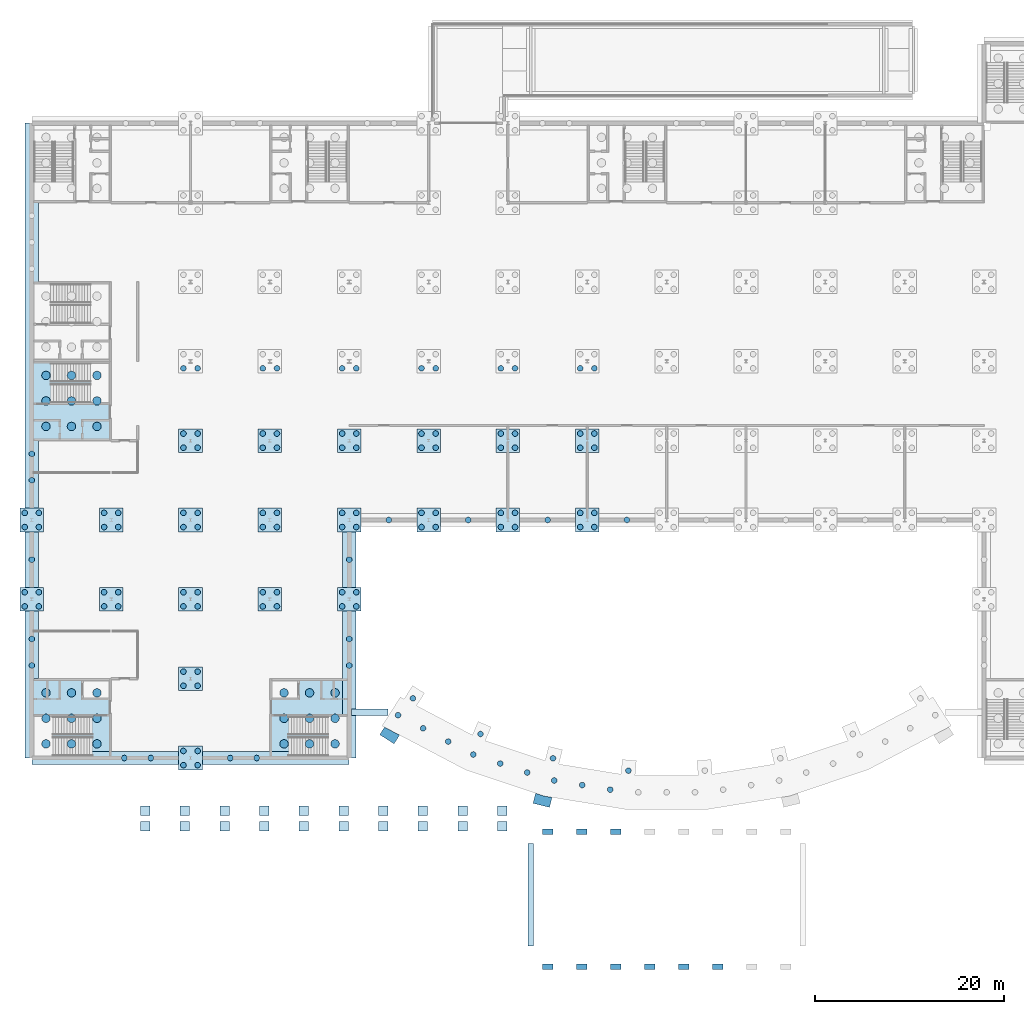
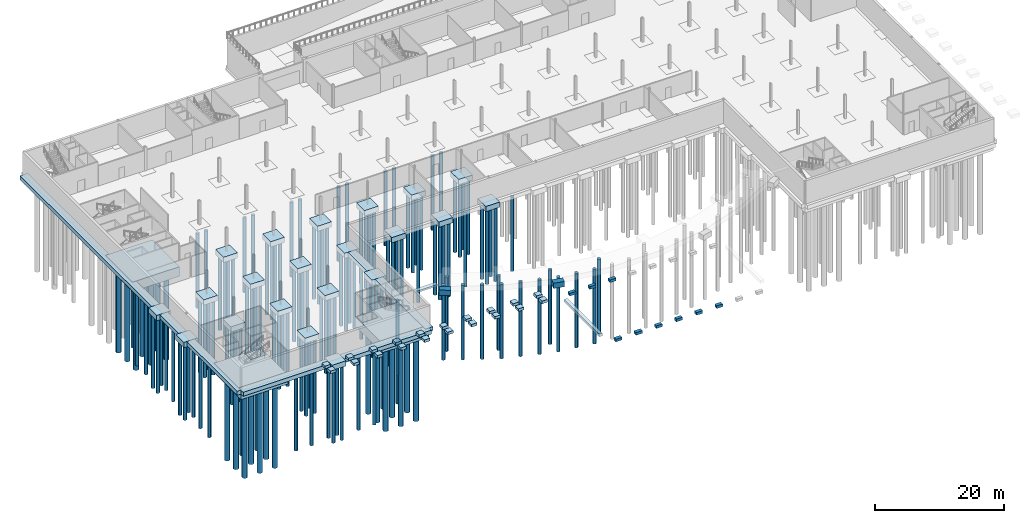
# One storey, part 1 of 35: 152 piles, 60 footings.
"""IFC4 building model written with IfcOpenShell, lengths in metres."""

from ifc_helpers import new_model, si_unit, direction, frame, origin, origin_2d, place, context, subcontext, project, spatial, polyline, rectangle, circle, outline, extrude, material, material_profile, profile_set, type_object, element, save


model = new_model("IFC4")

# Units and contexts
model_context = context("Model", 3, precision=1e-05, world=origin(), true_north=direction((0.0, 1.0)))
body_context = subcontext(model_context, "Body", "Model", "MODEL_VIEW")
ifc_project = project(units=[si_unit("LENGTHUNIT", "METRE"), si_unit("AREAUNIT", "SQUARE_METRE"), si_unit("VOLUMEUNIT", "CUBIC_METRE"), si_unit("PLANEANGLEUNIT", "RADIAN"), si_unit("MASSUNIT", "GRAM", prefix="KILO")], contexts=[model_context])

# Site, building, storey
site_placement = place(None, origin())
site = spatial("IfcSite", under=ifc_project, at=site_placement, CompositionType="ELEMENT")
building_placement = place(site_placement, origin())
building = spatial("IfcBuilding", under=site, at=building_placement, Name="Ardhachandra Cancer Care Centre", CompositionType="ELEMENT")
storey_placement = place(building_placement, frame((0.0, 0.0, -4.5)))
storey = spatial("IfcBuildingStorey", under=building, at=storey_placement, Name="B1", CompositionType="ELEMENT", Elevation=-4.5)

# Piles
ifc_material_1 = material(Name="Concrete M35", Category="concrete")
ifc_material_profile_1 = material_profile(ifc_material_1, circle(Radius=0.300048828125, at=origin_2d()), Name="D600")
ifc_profile_set_1 = profile_set([ifc_material_profile_1], Name="Concrete M35")
pile_type_1 = type_object("IfcPileType", Name="Bored pile D600", PredefinedType="BORED", material=ifc_profile_set_1)
for number, where, z_axis, x_axis, name in (
    (1, (26.85009765625, 28.64990234375, -0.89990234375), (0.0, 0.0, -1.0), (1.0, 0.0, 0.0), "Pile C3-1"),
    (2, (28.35009765625, 28.64990234375, -0.89990234375), (0.0, 0.0, -1.0), (1.0, 0.0, 0.0), "Pile C3-2"),
    (3, (26.85009765625, 30.14990234375, -0.89990234375), (0.0, 0.0, -1.0), (1.0, 0.0, 0.0), "Pile C3-3"),
    (4, (28.35009765625, 30.14990234375, -0.89990234375), (0.0, 0.0, -1.0), (1.0, 0.0, 0.0), "Pile C3-4"),
    (5, (26.85009765625, 37.050048828125, -0.89990234375), (0.0, 0.0, -1.0), (1.0, 0.0, 0.0), "Pile D3-1"),
    (6, (28.35009765625, 37.050048828125, -0.89990234375), (0.0, 0.0, -1.0), (1.0, 0.0, 0.0), "Pile D3-2"),
    (7, (26.85009765625, 38.550048828125, -0.89990234375), (0.0, 0.0, -1.0), (1.0, 0.0, 0.0), "Pile D3-3"),
    (8, (28.35009765625, 38.550048828125, -0.89990234375), (0.0, 0.0, -1.0), (1.0, 0.0, 0.0), "Pile D3-4"),
    (9, (10.050048828125, 45.449951171875, -0.89990234375), (0.0, 0.0, -1.0), (1.0, 0.0, 0.0), "Pile E1-1"),
    (10, (11.550048828125, 45.449951171875, -0.89990234375), (0.0, 0.0, -1.0), (1.0, 0.0, 0.0), "Pile E1-2"),
    (11, (10.050048828125, 46.949951171875, -0.89990234375), (0.0, 0.0, -1.0), (1.0, 0.0, 0.0), "Pile E1-3"),
    (12, (11.550048828125, 46.949951171875, -0.89990234375), (0.0, 0.0, -1.0), (1.0, 0.0, 0.0), "Pile E1-4"),
    (13, (18.449951171875, 45.449951171875, -0.89990234375), (0.0, 0.0, -1.0), (1.0, 0.0, 0.0), "Pile E2-1"),
    (14, (19.949951171875, 45.449951171875, -0.89990234375), (0.0, 0.0, -1.0), (1.0, 0.0, 0.0), "Pile E2-2"),
    (15, (18.449951171875, 46.949951171875, -0.89990234375), (0.0, 0.0, -1.0), (1.0, 0.0, 0.0), "Pile E2-3"),
    (16, (19.949951171875, 46.949951171875, -0.89990234375), (0.0, 0.0, -1.0), (1.0, 0.0, 0.0), "Pile E2-4"),
    (17, (26.85009765625, 45.449951171875, -0.89990234375), (0.0, 0.0, -1.0), (1.0, 0.0, 0.0), "Pile E3-1"),
    (18, (28.35009765625, 45.449951171875, -0.89990234375), (0.0, 0.0, -1.0), (1.0, 0.0, 0.0), "Pile E3-2"),
    (19, (26.85009765625, 46.949951171875, -0.89990234375), (0.0, 0.0, -1.0), (1.0, 0.0, 0.0), "Pile E3-3"),
    (20, (28.35009765625, 46.949951171875, -0.89990234375), (0.0, 0.0, -1.0), (1.0, 0.0, 0.0), "Pile E3-4"),
    (21, (35.25, 45.449951171875, -0.89990234375), (0.0, 0.0, -1.0), (1.0, 0.0, 0.0), "Pile E4-1"),
    (22, (36.75, 45.449951171875, -0.89990234375), (0.0, 0.0, -1.0), (1.0, 0.0, 0.0), "Pile E4-2"),
    (23, (35.25, 46.949951171875, -0.89990234375), (0.0, 0.0, -1.0), (1.0, 0.0, 0.0), "Pile E4-3"),
    (24, (36.75, 46.949951171875, -0.89990234375), (0.0, 0.0, -1.0), (1.0, 0.0, 0.0), "Pile E4-4"),
    (25, (43.64990234375, 45.449951171875, -0.89990234375), (0.0, 0.0, -1.0), (1.0, 0.0, 0.0), "Pile E5-1"),
    (26, (45.14990234375, 45.449951171875, -0.89990234375), (0.0, 0.0, -1.0), (1.0, 0.0, 0.0), "Pile E5-2"),
    (27, (43.64990234375, 46.949951171875, -0.89990234375), (0.0, 0.0, -1.0), (1.0, 0.0, 0.0), "Pile E5-3"),
    (28, (45.14990234375, 46.949951171875, -0.89990234375), (0.0, 0.0, -1.0), (1.0, 0.0, 0.0), "Pile E5-4"),
    (29, (10.050048828125, 53.85009765625, -0.89990234375), (0.0, 0.0, -1.0), (1.0, 0.0, 0.0), "Pile F1-1"),
    (30, (11.550048828125, 53.85009765625, -0.89990234375), (0.0, 0.0, -1.0), (1.0, 0.0, 0.0), "Pile F1-2"),
    (31, (10.050048828125, 55.35009765625, -0.89990234375), (0.0, 0.0, -1.0), (1.0, 0.0, 0.0), "Pile F1-3"),
    (32, (11.550048828125, 55.35009765625, -0.89990234375), (0.0, 0.0, -1.0), (1.0, 0.0, 0.0), "Pile F1-4"),
    (33, (18.449951171875, 53.85009765625, -0.89990234375), (0.0, 0.0, -1.0), (1.0, 0.0, 0.0), "Pile F2-1"),
    (34, (19.949951171875, 53.85009765625, -0.89990234375), (0.0, 0.0, -1.0), (1.0, 0.0, 0.0), "Pile F2-2"),
    (35, (18.449951171875, 55.35009765625, -0.89990234375), (0.0, 0.0, -1.0), (1.0, 0.0, 0.0), "Pile F2-3"),
    (36, (19.949951171875, 55.35009765625, -0.89990234375), (0.0, 0.0, -1.0), (1.0, 0.0, 0.0), "Pile F2-4"),
    (37, (26.85009765625, 53.85009765625, -0.89990234375), (0.0, 0.0, -1.0), (1.0, 0.0, 0.0), "Pile F3-1"),
    (38, (28.35009765625, 53.85009765625, -0.89990234375), (0.0, 0.0, -1.0), (1.0, 0.0, 0.0), "Pile F3-2"),
    (39, (26.85009765625, 55.35009765625, -0.89990234375), (0.0, 0.0, -1.0), (1.0, 0.0, 0.0), "Pile F3-3"),
    (40, (28.35009765625, 55.35009765625, -0.89990234375), (0.0, 0.0, -1.0), (1.0, 0.0, 0.0), "Pile F3-4"),
    (41, (35.25, 53.85009765625, -0.89990234375), (0.0, 0.0, -1.0), (1.0, 0.0, 0.0), "Pile F4-1"),
    (42, (36.75, 53.85009765625, -0.89990234375), (0.0, 0.0, -1.0), (1.0, 0.0, 0.0), "Pile F4-2"),
    (43, (35.25, 55.35009765625, -0.89990234375), (0.0, 0.0, -1.0), (1.0, 0.0, 0.0), "Pile F4-3"),
    (44, (36.75, 55.35009765625, -0.89990234375), (0.0, 0.0, -1.0), (1.0, 0.0, 0.0), "Pile F4-4"),
    (45, (43.64990234375, 53.85009765625, -0.89990234375), (0.0, 0.0, -1.0), (1.0, 0.0, 0.0), "Pile F5-1"),
    (46, (45.14990234375, 53.85009765625, -0.89990234375), (0.0, 0.0, -1.0), (1.0, 0.0, 0.0), "Pile F5-2"),
    (47, (43.64990234375, 55.35009765625, -0.89990234375), (0.0, 0.0, -1.0), (1.0, 0.0, 0.0), "Pile F5-3"),
    (48, (45.14990234375, 55.35009765625, -0.89990234375), (0.0, 0.0, -1.0), (1.0, 0.0, 0.0), "Pile F5-4"),
    (49, (52.050048828125, 53.85009765625, -0.89990234375), (0.0, 0.0, -1.0), (1.0, 0.0, 0.0), "Pile F6-1"),
    (50, (53.550048828125, 53.85009765625, -0.89990234375), (0.0, 0.0, -1.0), (1.0, 0.0, 0.0), "Pile F6-2"),
    (51, (52.050048828125, 55.35009765625, -0.89990234375), (0.0, 0.0, -1.0), (1.0, 0.0, 0.0), "Pile F6-3"),
    (52, (53.550048828125, 55.35009765625, -0.89990234375), (0.0, 0.0, -1.0), (1.0, 0.0, 0.0), "Pile F6-4"),
    (53, (60.449951171875, 53.85009765625, -0.89990234375), (0.0, 0.0, -1.0), (1.0, 0.0, 0.0), "Pile F7-1"),
    (54, (61.949951171875, 53.85009765625, -0.89990234375), (0.0, 0.0, -1.0), (1.0, 0.0, 0.0), "Pile F7-2"),
    (55, (60.449951171875, 55.35009765625, -0.89990234375), (0.0, 0.0, -1.0), (1.0, 0.0, 0.0), "Pile F7-3"),
    (56, (61.949951171875, 55.35009765625, -0.89990234375), (0.0, 0.0, -1.0), (1.0, 0.0, 0.0), "Pile F7-4"),
    (57, (68.85009765625, 53.85009765625, -0.89990234375), (0.0, 0.0, -1.0), (1.0, 0.0, 0.0), "Pile F8-1"),
    (58, (70.35009765625, 53.85009765625, -0.89990234375), (0.0, 0.0, -1.0), (1.0, 0.0, 0.0), "Pile F8-2"),
    (59, (68.85009765625, 55.35009765625, -0.89990234375), (0.0, 0.0, -1.0), (1.0, 0.0, 0.0), "Pile F8-3"),
    (60, (70.35009765625, 55.35009765625, -0.89990234375), (0.0, 0.0, -1.0), (1.0, 0.0, 0.0), "Pile F8-4"),
    (61, (26.85009765625, 62.25, -0.89990234375), (0.0, 0.0, -1.0), (1.0, 0.0, 0.0), "Pile G3-1"),
    (62, (28.35009765625, 62.25, -0.89990234375), (0.0, 0.0, -1.0), (1.0, 0.0, 0.0), "Pile G3-2"),
    (63, (26.85009765625, 63.75, -0.89990234375), (0.0, 0.0, -1.0), (1.0, 0.0, 0.0), "Pile G3-3"),
    (64, (28.35009765625, 63.75, -0.89990234375), (0.0, 0.0, -1.0), (1.0, 0.0, 0.0), "Pile G3-4"),
    (65, (35.25, 62.25, -0.89990234375), (0.0, 0.0, -1.0), (1.0, 0.0, 0.0), "Pile G4-1"),
    (66, (36.75, 62.25, -0.89990234375), (0.0, 0.0, -1.0), (1.0, 0.0, 0.0), "Pile G4-2"),
    (67, (35.25, 63.75, -0.89990234375), (0.0, 0.0, -1.0), (1.0, 0.0, 0.0), "Pile G4-3"),
    (68, (36.75, 63.75, -0.89990234375), (0.0, 0.0, -1.0), (1.0, 0.0, 0.0), "Pile G4-4"),
    (69, (43.64990234375, 62.25, -0.89990234375), (0.0, 0.0, -1.0), (1.0, 0.0, 0.0), "Pile G5-1"),
    (70, (45.14990234375, 62.25, -0.89990234375), (0.0, 0.0, -1.0), (1.0, 0.0, 0.0), "Pile G5-2"),
    (71, (43.64990234375, 63.75, -0.89990234375), (0.0, 0.0, -1.0), (1.0, 0.0, 0.0), "Pile G5-3"),
    (72, (45.14990234375, 63.75, -0.89990234375), (0.0, 0.0, -1.0), (1.0, 0.0, 0.0), "Pile G5-4"),
    (73, (52.050048828125, 62.25, -0.89990234375), (0.0, 0.0, -1.0), (1.0, 0.0, 0.0), "Pile G6-1"),
    (74, (53.550048828125, 62.25, -0.89990234375), (0.0, 0.0, -1.0), (1.0, 0.0, 0.0), "Pile G6-2"),
    (75, (52.050048828125, 63.75, -0.89990234375), (0.0, 0.0, -1.0), (1.0, 0.0, 0.0), "Pile G6-3"),
    (76, (53.550048828125, 63.75, -0.89990234375), (0.0, 0.0, -1.0), (1.0, 0.0, 0.0), "Pile G6-4"),
    (77, (60.449951171875, 62.25, -0.89990234375), (0.0, 0.0, -1.0), (1.0, 0.0, 0.0), "Pile G7-1"),
    (78, (61.949951171875, 62.25, -0.89990234375), (0.0, 0.0, -1.0), (1.0, 0.0, 0.0), "Pile G7-2"),
    (79, (60.449951171875, 63.75, -0.89990234375), (0.0, 0.0, -1.0), (1.0, 0.0, 0.0), "Pile G7-3"),
    (80, (61.949951171875, 63.75, -0.89990234375), (0.0, 0.0, -1.0), (1.0, 0.0, 0.0), "Pile G7-4"),
    (81, (68.85009765625, 62.25, -0.89990234375), (0.0, 0.0, -1.0), (1.0, 0.0, 0.0), "Pile G8-1"),
    (82, (70.35009765625, 62.25, -0.89990234375), (0.0, 0.0, -1.0), (1.0, 0.0, 0.0), "Pile G8-2"),
    (83, (68.85009765625, 63.75, -0.89990234375), (0.0, 0.0, -1.0), (1.0, 0.0, 0.0), "Pile G8-3"),
    (84, (70.35009765625, 63.75, -0.89990234375), (0.0, 0.0, -1.0), (1.0, 0.0, 0.0), "Pile G8-4"),
    (85, (26.85009765625, 70.64990234375, -0.89990234375), (0.0, 0.0, -1.0), (1.0, 0.0, 0.0), "Pile H3-1"),
    (86, (28.35009765625, 70.64990234375, -0.89990234375), (0.0, 0.0, -1.0), (1.0, 0.0, 0.0), "Pile H3-2"),
    (87, (35.25, 70.64990234375, -0.89990234375), (0.0, 0.0, -1.0), (1.0, 0.0, 0.0), "Pile H4-1"),
    (88, (36.75, 70.64990234375, -0.89990234375), (0.0, 0.0, -1.0), (1.0, 0.0, 0.0), "Pile H4-2"),
    (89, (43.64990234375, 70.64990234375, -0.89990234375), (0.0, 0.0, -1.0), (1.0, 0.0, 0.0), "Pile H5-1"),
    (90, (45.14990234375, 70.64990234375, -0.89990234375), (0.0, 0.0, -1.0), (1.0, 0.0, 0.0), "Pile H5-2"),
    (91, (52.050048828125, 70.64990234375, -0.89990234375), (0.0, 0.0, -1.0), (1.0, 0.0, 0.0), "Pile H6-1"),
    (92, (53.550048828125, 70.64990234375, -0.89990234375), (0.0, 0.0, -1.0), (1.0, 0.0, 0.0), "Pile H6-2"),
    (93, (60.449951171875, 70.64990234375, -0.89990234375), (0.0, 0.0, -1.0), (1.0, 0.0, 0.0), "Pile H7-1"),
    (94, (61.949951171875, 70.64990234375, -0.89990234375), (0.0, 0.0, -1.0), (1.0, 0.0, 0.0), "Pile H7-2"),
    (95, (68.85009765625, 70.64990234375, -0.89990234375), (0.0, 0.0, -1.0), (1.0, 0.0, 0.0), "Pile H8-1"),
    (96, (70.35009765625, 70.64990234375, -0.89990234375), (0.0, 0.0, -1.0), (1.0, 0.0, 0.0), "Pile H8-2"),
    (97, (48.60009765625, 54.60009765625, -0.64990234375), (0.0, 0.0, -1.0), (1.0, 0.0, 0.0), "Pile W01-02"),
    (98, (57.0, 54.60009765625, -0.64990234375), (0.0, 0.0, -1.0), (1.0, 0.0, 0.0), "Pile W01-05"),
    (99, (65.39990234375, 54.60009765625, -0.64990234375), (0.0, 0.0, -1.0), (1.0, 0.0, 0.0), "Pile W01-08"),
    (100, (73.800048828125, 54.60009765625, -0.64990234375), (0.0, 0.0, -1.0), (1.0, 0.0, 0.0), "Pile W01-11"),
    (101, (10.800048828125, 61.60009765625, -0.64990234375), (0.0, 0.0, -1.0), (1.0, 0.0, 0.0), "Pile W09-13"),
    (102, (10.800048828125, 58.800048828125, -0.64990234375), (0.0, 0.0, -1.0), (1.0, 0.0, 0.0), "Pile W09-14"),
    (103, (10.800048828125, 50.39990234375, -0.64990234375), (0.0, 0.0, -1.0), (1.0, 0.0, 0.0), "Pile W09-17"),
    (104, (10.800048828125, 42.0, -0.64990234375), (0.0, 0.0, -1.0), (1.0, 0.0, 0.0), "Pile W09-20"),
    (105, (10.800048828125, 39.199951171875, -0.64990234375), (0.0, 0.0, -1.0), (1.0, 0.0, 0.0), "Pile W09-21"),
    (106, (20.60009765625, 29.39990234375, -0.64990234375), (0.0, 0.0, -1.0), (1.0, 0.0, 0.0), "Pile W10-04"),
    (107, (23.39990234375, 29.39990234375, -0.64990234375), (0.0, 0.0, -1.0), (1.0, 0.0, 0.0), "Pile W10-05"),
    (108, (31.800048828125, 29.39990234375, -0.64990234375), (0.0, 0.0, -1.0), (1.0, 0.0, 0.0), "Pile W10-08"),
    (109, (34.60009765625, 29.39990234375, -0.64990234375), (0.0, 0.0, -1.0), (1.0, 0.0, 0.0), "Pile W10-09"),
    (110, (44.39990234375, 39.199951171875, -0.64990234375), (0.0, 0.0, -1.0), (1.0, 0.0, 0.0), "Pile W11-04"),
    (111, (44.39990234375, 42.0, -0.64990234375), (0.0, 0.0, -1.0), (1.0, 0.0, 0.0), "Pile W11-05"),
    (112, (44.39990234375, 50.39990234375, -0.64990234375), (0.0, 0.0, -1.0), (1.0, 0.0, 0.0), "Pile W11-08"),
):
    element("IfcPile", number, at=place(storey_placement, frame(where, z_axis=z_axis, x_axis=x_axis)), inside=storey, type_object=pile_type_1, Name=name, PredefinedType="BORED", context=body_context, shape_type="SweptSolid", body=[
        extrude(circle(Radius=0.300048828125, at=origin_2d()), origin(), (0.0, 0.0, 1.0), 14.10009765625),
    ])
ifc_material_2 = material(Name="Concrete M35", Category="concrete")
ifc_material_profile_2 = material_profile(ifc_material_2, circle(Radius=0.449951171875, at=origin_2d()), Name="D900")
ifc_profile_set_2 = profile_set([ifc_material_profile_2], Name="Concrete M35")
pile_type_2 = type_object("IfcPileType", Name="Bored pile D900", PredefinedType="BORED", material=ifc_profile_set_2)
for number, where, z_axis, x_axis, name in (
    (113, (12.300048828125, 30.89990234375, -1.699951171875), (0.0, 0.0, -1.0), (1.0, 0.0, 0.0), "Pile K1-1"),
    (114, (15.0, 30.89990234375, -1.699951171875), (0.0, 0.0, -1.0), (1.0, 0.0, 0.0), "Pile K1-2"),
    (115, (17.699951171875, 30.89990234375, -1.699951171875), (0.0, 0.0, -1.0), (1.0, 0.0, 0.0), "Pile K1-3"),
    (116, (12.300048828125, 33.60009765625, -1.699951171875), (0.0, 0.0, -1.0), (1.0, 0.0, 0.0), "Pile K1-4"),
    (117, (15.0, 33.60009765625, -1.699951171875), (0.0, 0.0, -1.0), (1.0, 0.0, 0.0), "Pile K1-5"),
    (118, (17.699951171875, 33.60009765625, -1.699951171875), (0.0, 0.0, -1.0), (1.0, 0.0, 0.0), "Pile K1-6"),
    (119, (12.300048828125, 36.300048828125, -1.699951171875), (0.0, 0.0, -1.0), (1.0, 0.0, 0.0), "Pile K1-7"),
    (120, (15.0, 36.300048828125, -1.699951171875), (0.0, 0.0, -1.0), (1.0, 0.0, 0.0), "Pile K1-8"),
    (121, (17.699951171875, 36.300048828125, -1.699951171875), (0.0, 0.0, -1.0), (1.0, 0.0, 0.0), "Pile K1-9"),
    (122, (37.5, 30.89990234375, -1.699951171875), (0.0, 0.0, -1.0), (1.0, 0.0, 0.0), "Pile K2-1"),
    (123, (40.199951171875, 30.89990234375, -1.699951171875), (0.0, 0.0, -1.0), (1.0, 0.0, 0.0), "Pile K2-2"),
    (124, (42.89990234375, 30.89990234375, -1.699951171875), (0.0, 0.0, -1.0), (1.0, 0.0, 0.0), "Pile K2-3"),
    (125, (37.5, 33.60009765625, -1.699951171875), (0.0, 0.0, -1.0), (1.0, 0.0, 0.0), "Pile K2-4"),
    (126, (40.199951171875, 33.60009765625, -1.699951171875), (0.0, 0.0, -1.0), (1.0, 0.0, 0.0), "Pile K2-5"),
    (127, (42.89990234375, 33.60009765625, -1.699951171875), (0.0, 0.0, -1.0), (1.0, 0.0, 0.0), "Pile K2-6"),
    (128, (37.5, 36.300048828125, -1.699951171875), (0.0, 0.0, -1.0), (1.0, 0.0, 0.0), "Pile K2-7"),
    (129, (40.199951171875, 36.300048828125, -1.699951171875), (0.0, 0.0, -1.0), (1.0, 0.0, 0.0), "Pile K2-8"),
    (130, (42.89990234375, 36.300048828125, -1.699951171875), (0.0, 0.0, -1.0), (1.0, 0.0, 0.0), "Pile K2-9"),
    (131, (12.300048828125, 64.5, -1.699951171875), (0.0, 0.0, -1.0), (1.0, 0.0, 0.0), "Pile K3-1"),
    (132, (15.0, 64.5, -1.699951171875), (0.0, 0.0, -1.0), (1.0, 0.0, 0.0), "Pile K3-2"),
    (133, (17.699951171875, 64.5, -1.699951171875), (0.0, 0.0, -1.0), (1.0, 0.0, 0.0), "Pile K3-3"),
    (134, (12.300048828125, 67.199951171875, -1.699951171875), (0.0, 0.0, -1.0), (1.0, 0.0, 0.0), "Pile K3-4"),
    (135, (15.0, 67.199951171875, -1.699951171875), (0.0, 0.0, -1.0), (1.0, 0.0, 0.0), "Pile K3-5"),
    (136, (17.699951171875, 67.199951171875, -1.699951171875), (0.0, 0.0, -1.0), (1.0, 0.0, 0.0), "Pile K3-6"),
    (137, (12.300048828125, 69.89990234375, -1.699951171875), (0.0, 0.0, -1.0), (1.0, 0.0, 0.0), "Pile K3-7"),
    (138, (15.0, 69.89990234375, -1.699951171875), (0.0, 0.0, -1.0), (1.0, 0.0, 0.0), "Pile K3-8"),
    (139, (17.699951171875, 69.89990234375, -1.699951171875), (0.0, 0.0, -1.0), (1.0, 0.0, 0.0), "Pile K3-9"),
):
    element("IfcPile", number, at=place(storey_placement, frame(where, z_axis=z_axis, x_axis=x_axis)), inside=storey, type_object=pile_type_2, Name=name, PredefinedType="BORED", context=body_context, shape_type="SweptSolid", body=[
        extrude(circle(Radius=0.449951171875, at=origin_2d()), origin(), (0.0, 0.0, 1.0), 16.10009765625),
    ])

# Footings
ifc_material_3 = material(Name="Concrete M40", Category="concrete")
footing_type_1 = type_object("IfcFootingType", Name="Buttress pad footing", PredefinedType="PAD_FOOTING", material=ifc_material_3)
footing_1_placement = place(storey_placement, frame((0.0, 0.0, 3.5)))
element("IfcFooting", 140, at=footing_1_placement, inside=storey, type_object=footing_type_1, Name="Buttress pad footing 1", PredefinedType="PAD_FOOTING", context=body_context, shape_type="SweptSolid", body=[
    extrude(outline(polyline([(49.147216796875, 30.908447265625), (49.7294921875, 31.8251953125), (48.132080078125, 32.66748046875), (47.6279296875, 31.873779296875), (49.147216796875, 30.908447265625)])), origin(), (0.0, 0.0, 1.0), 1.0),
])
footing_2_placement = place(storey_placement, frame((0.0, 0.0, 3.5)))
element("IfcFooting", 141, at=footing_2_placement, inside=storey, type_object=footing_type_1, Name="Buttress pad footing 2", PredefinedType="PAD_FOOTING", context=body_context, shape_type="SweptSolid", body=[
    extrude(outline(polyline([(65.609619140625, 24.18017578125), (65.87060546875, 25.234375), (64.9794921875, 25.3798828125), (64.123291015625, 25.666748046875), (63.862548828125, 24.612548828125), (65.609619140625, 24.18017578125)])), origin(), (0.0, 0.0, 1.0), 1.0),
])
ifc_material_4 = material(Name="Concrete M40", Category="concrete")
footing_type_2 = type_object("IfcFootingType", Name="Core raft 8400x8400x1800", PredefinedType="PILE_CAP", material=ifc_material_4)
footing_3_placement = place(storey_placement, frame((0.0, 0.0, -1.800048828125)))
element("IfcFooting", 142, at=footing_3_placement, inside=storey, type_object=footing_type_2, Name="Core raft K1", PredefinedType="PILE_CAP", context=body_context, shape_type="SweptSolid", body=[
    extrude(outline(polyline([(10.800048828125, 29.39990234375), (19.199951171875, 29.39990234375), (19.199951171875, 37.800048828125), (10.800048828125, 37.800048828125), (10.800048828125, 29.39990234375)]), holes=[polyline([(16.25, 35.75), (19.0, 35.75), (19.0, 37.60009765625), (16.25, 37.60009765625), (16.25, 35.75)])]), origin(), (0.0, 0.0, 1.0), 1.800048828125),
])
footing_4_placement = place(storey_placement, frame((0.0, 0.0, -1.800048828125)))
element("IfcFooting", 143, at=footing_4_placement, inside=storey, type_object=footing_type_2, Name="Core raft K2", PredefinedType="PILE_CAP", context=body_context, shape_type="SweptSolid", body=[
    extrude(outline(polyline([(36.0, 29.39990234375), (44.39990234375, 29.39990234375), (44.39990234375, 37.800048828125), (36.0, 37.800048828125), (36.0, 29.39990234375)]), holes=[polyline([(36.199951171875, 35.75), (38.949951171875, 35.75), (38.949951171875, 37.60009765625), (36.199951171875, 37.60009765625), (36.199951171875, 35.75)])]), origin(), (0.0, 0.0, 1.0), 1.800048828125),
])
footing_5_placement = place(storey_placement, frame((0.0, 0.0, -1.800048828125)))
element("IfcFooting", 144, at=footing_5_placement, inside=storey, type_object=footing_type_2, Name="Core raft K3", PredefinedType="PILE_CAP", context=body_context, shape_type="SweptSolid", body=[
    extrude(outline(polyline([(10.800048828125, 63.0), (19.199951171875, 63.0), (19.199951171875, 71.39990234375), (10.800048828125, 71.39990234375), (10.800048828125, 63.0)])), origin(), (0.0, 0.0, 1.0), 1.800048828125),
])
ifc_material_5 = material(Name="Concrete M40", Category="concrete")
footing_type_3 = type_object("IfcFootingType", Name="Court edge strip footing 700 x 300", PredefinedType="STRIP_FOOTING", material=ifc_material_5)
footing_6_placement = place(storey_placement, frame((0.0, 0.0, 3.75)))
element("IfcFooting", 145, at=footing_6_placement, inside=storey, type_object=footing_type_3, Name="Court edge footing west", PredefinedType="STRIP_FOOTING", context=body_context, shape_type="SweptSolid", body=[
    extrude(outline(polyline([(44.625, 33.879638671875), (48.50146484375, 33.879638671875), (48.50146484375, 34.57958984375), (44.625, 34.57958984375), (44.625, 33.879638671875)])), origin(), (0.0, 0.0, 1.0), 0.300048828125),
])
ifc_material_6 = material(Name="Concrete M40", Category="concrete")
footing_type_4 = type_object("IfcFootingType", Name="Pavilion plinth strip footing 600 x 500", PredefinedType="STRIP_FOOTING", material=ifc_material_6)
for number, where, z_axis, x_axis, name in (
    (146, (65.39990234375, 7.300048828125, 3.75), (0.0, 0.0, 1.0), (1.0, 0.0, 0.0), "Pavilion plinth footing S1"),
    (147, (69.0, 7.300048828125, 3.75), (0.0, 0.0, 1.0), (1.0, 0.0, 0.0), "Pavilion plinth footing S2"),
    (148, (72.60009765625, 7.300048828125, 3.75), (0.0, 0.0, 1.0), (1.0, 0.0, 0.0), "Pavilion plinth footing S3"),
    (149, (76.199951171875, 7.300048828125, 3.75), (0.0, 0.0, 1.0), (1.0, 0.0, 0.0), "Pavilion plinth footing S4"),
    (150, (79.800048828125, 7.300048828125, 3.75), (0.0, 0.0, 1.0), (1.0, 0.0, 0.0), "Pavilion plinth footing S5"),
    (151, (83.39990234375, 7.300048828125, 3.75), (0.0, 0.0, 1.0), (1.0, 0.0, 0.0), "Pavilion plinth footing S6"),
    (152, (65.39990234375, 21.60009765625, 3.75), (0.0, 0.0, 1.0), (1.0, 0.0, 0.0), "Pavilion plinth footing N1"),
    (153, (69.0, 21.60009765625, 3.75), (0.0, 0.0, 1.0), (1.0, 0.0, 0.0), "Pavilion plinth footing N2"),
    (154, (72.60009765625, 21.60009765625, 3.75), (0.0, 0.0, 1.0), (1.0, 0.0, 0.0), "Pavilion plinth footing N3"),
):
    element("IfcFooting", number, at=place(storey_placement, frame(where, z_axis=z_axis, x_axis=x_axis)), inside=storey, type_object=footing_type_4, Name=name, PredefinedType="STRIP_FOOTING", context=body_context, shape_type="SweptSolid", body=[
        extrude(rectangle(XDim=1.10009765625, YDim=0.60009765625, at=origin_2d()), origin(), (0.0, 0.0, 1.0), 0.5),
    ])
footing_7_placement = place(storey_placement, frame((63.60009765625, 14.925048828125, 3.75), z_axis=(0.0, 0.0, 1.0), x_axis=(1.0, 0.0, 0.0)))
element("IfcFooting", 155, at=footing_7_placement, inside=storey, type_object=footing_type_4, Name="Pavilion plinth footing W1", PredefinedType="STRIP_FOOTING", context=body_context, shape_type="SweptSolid", body=[
    extrude(rectangle(XDim=0.60009765625, YDim=10.85009765625, at=origin_2d()), origin(), (0.0, 0.0, 1.0), 0.5),
])
ifc_material_7 = material(Name="Concrete M40", Category="concrete")
footing_type_5 = type_object("IfcFootingType", Name="Pile cap 2500x2500x1000", PredefinedType="PILE_CAP", material=ifc_material_7)
for number, where, z_axis, x_axis, name in (
    (156, (27.60009765625, 29.39990234375, -1.0), (0.0, 0.0, 1.0), (1.0, 0.0, 0.0), "Pile cap C3"),
    (157, (27.60009765625, 37.800048828125, -1.0), (0.0, 0.0, 1.0), (1.0, 0.0, 0.0), "Pile cap D3"),
    (158, (10.800048828125, 46.199951171875, -1.0), (0.0, 0.0, 1.0), (1.0, 0.0, 0.0), "Pile cap E1"),
    (159, (19.199951171875, 46.199951171875, -1.0), (0.0, 0.0, 1.0), (1.0, 0.0, 0.0), "Pile cap E2"),
    (160, (27.60009765625, 46.199951171875, -1.0), (0.0, 0.0, 1.0), (1.0, 0.0, 0.0), "Pile cap E3"),
    (161, (36.0, 46.199951171875, -1.0), (0.0, 0.0, 1.0), (1.0, 0.0, 0.0), "Pile cap E4"),
    (162, (44.39990234375, 46.199951171875, -1.0), (0.0, 0.0, 1.0), (1.0, 0.0, 0.0), "Pile cap E5"),
    (163, (10.800048828125, 54.60009765625, -1.0), (0.0, 0.0, 1.0), (1.0, 0.0, 0.0), "Pile cap F1"),
    (164, (19.199951171875, 54.60009765625, -1.0), (0.0, 0.0, 1.0), (1.0, 0.0, 0.0), "Pile cap F2"),
    (165, (27.60009765625, 54.60009765625, -1.0), (0.0, 0.0, 1.0), (1.0, 0.0, 0.0), "Pile cap F3"),
    (166, (36.0, 54.60009765625, -1.0), (0.0, 0.0, 1.0), (1.0, 0.0, 0.0), "Pile cap F4"),
    (167, (44.39990234375, 54.60009765625, -1.0), (0.0, 0.0, 1.0), (1.0, 0.0, 0.0), "Pile cap F5"),
    (168, (52.800048828125, 54.60009765625, -1.0), (0.0, 0.0, 1.0), (1.0, 0.0, 0.0), "Pile cap F6"),
    (169, (61.199951171875, 54.60009765625, -1.0), (0.0, 0.0, 1.0), (1.0, 0.0, 0.0), "Pile cap F7"),
    (170, (69.60009765625, 54.60009765625, -1.0), (0.0, 0.0, 1.0), (1.0, 0.0, 0.0), "Pile cap F8"),
    (171, (27.60009765625, 63.0, -1.0), (0.0, 0.0, 1.0), (1.0, 0.0, 0.0), "Pile cap G3"),
    (172, (36.0, 63.0, -1.0), (0.0, 0.0, 1.0), (1.0, 0.0, 0.0), "Pile cap G4"),
    (173, (44.39990234375, 63.0, -1.0), (0.0, 0.0, 1.0), (1.0, 0.0, 0.0), "Pile cap G5"),
    (174, (52.800048828125, 63.0, -1.0), (0.0, 0.0, 1.0), (1.0, 0.0, 0.0), "Pile cap G6"),
    (175, (61.199951171875, 63.0, -1.0), (0.0, 0.0, 1.0), (1.0, 0.0, 0.0), "Pile cap G7"),
    (176, (69.60009765625, 63.0, -1.0), (0.0, 0.0, 1.0), (1.0, 0.0, 0.0), "Pile cap G8"),
):
    element("IfcFooting", number, at=place(storey_placement, frame(where, z_axis=z_axis, x_axis=x_axis)), inside=storey, type_object=footing_type_5, Name=name, PredefinedType="PILE_CAP", context=body_context, shape_type="SweptSolid", body=[
        extrude(rectangle(XDim=2.5, YDim=2.5, at=origin_2d()), origin(), (0.0, 0.0, 1.0), 1.0),
    ])
ifc_material_8 = material(Name="Concrete M40", Category="concrete")
footing_type_6 = type_object("IfcFootingType", Name="Strip footing 1400x750", PredefinedType="STRIP_FOOTING", material=ifc_material_8)
footing_8_placement = place(storey_placement, frame((0.0, 0.0, -0.75)))
element("IfcFooting", 177, at=footing_8_placement, inside=storey, type_object=footing_type_6, Name="Strip footing 09", PredefinedType="STRIP_FOOTING", context=body_context, shape_type="SweptSolid", body=[
    extrude(outline(polyline([(10.10009765625, 96.60009765625), (10.10009765625, 29.39990234375), (11.5, 29.39990234375), (11.5, 96.60009765625), (10.10009765625, 96.60009765625)])), origin(), (0.0, 0.0, 1.0), 0.75),
])
footing_9_placement = place(storey_placement, frame((0.0, 0.0, -0.75)))
element("IfcFooting", 178, at=footing_9_placement, inside=storey, type_object=footing_type_6, Name="Strip footing 10", PredefinedType="STRIP_FOOTING", context=body_context, shape_type="SweptSolid", body=[
    extrude(outline(polyline([(10.800048828125, 28.699951171875), (44.39990234375, 28.699951171875), (44.39990234375, 30.10009765625), (10.800048828125, 30.10009765625), (10.800048828125, 28.699951171875)])), origin(), (0.0, 0.0, 1.0), 0.75),
])
footing_10_placement = place(storey_placement, frame((0.0, 0.0, -0.75)))
element("IfcFooting", 179, at=footing_10_placement, inside=storey, type_object=footing_type_6, Name="Strip footing 11", PredefinedType="STRIP_FOOTING", context=body_context, shape_type="SweptSolid", body=[
    extrude(outline(polyline([(45.10009765625, 29.39990234375), (45.10009765625, 54.60009765625), (43.699951171875, 54.60009765625), (43.699951171875, 29.39990234375), (45.10009765625, 29.39990234375)])), origin(), (0.0, 0.0, 1.0), 0.75),
])
ifc_material_9 = material(Name="Concrete M30", Category="concrete")
footing_type_7 = type_object("IfcFootingType", Name="Walk pad footing 1000 x 1000", PredefinedType="PAD_FOOTING", material=ifc_material_9)
for number, where, z_axis, x_axis, name in (
    (180, (60.60009765625, 22.199951171875, 3.699951171875), (0.0, 0.0, 1.0), (1.0, 0.0, 0.0), "Walk pad footing S01"),
    (181, (56.39990234375, 22.199951171875, 3.699951171875), (0.0, 0.0, 1.0), (1.0, 0.0, 0.0), "Walk pad footing S02"),
    (182, (52.199951171875, 22.199951171875, 3.699951171875), (0.0, 0.0, 1.0), (1.0, 0.0, 0.0), "Walk pad footing S03"),
    (183, (48.0, 22.199951171875, 3.699951171875), (0.0, 0.0, 1.0), (1.0, 0.0, 0.0), "Walk pad footing S04"),
    (184, (43.800048828125, 22.199951171875, 3.699951171875), (0.0, 0.0, 1.0), (1.0, 0.0, 0.0), "Walk pad footing S05"),
    (185, (39.60009765625, 22.199951171875, 3.699951171875), (0.0, 0.0, 1.0), (1.0, 0.0, 0.0), "Walk pad footing S06"),
    (186, (35.39990234375, 22.199951171875, 3.699951171875), (0.0, 0.0, 1.0), (1.0, 0.0, 0.0), "Walk pad footing S07"),
    (187, (31.199951171875, 22.199951171875, 3.699951171875), (0.0, 0.0, 1.0), (1.0, 0.0, 0.0), "Walk pad footing S08"),
    (188, (27.0, 22.199951171875, 3.699951171875), (0.0, 0.0, 1.0), (1.0, 0.0, 0.0), "Walk pad footing S09"),
    (189, (22.800048828125, 22.199951171875, 3.699951171875), (0.0, 0.0, 1.0), (1.0, 0.0, 0.0), "Walk pad footing S10"),
    (190, (60.60009765625, 23.800048828125, 3.699951171875), (0.0, 0.0, 1.0), (1.0, 0.0, 0.0), "Walk pad footing N01"),
    (191, (56.39990234375, 23.800048828125, 3.699951171875), (0.0, 0.0, 1.0), (1.0, 0.0, 0.0), "Walk pad footing N02"),
    (192, (52.199951171875, 23.800048828125, 3.699951171875), (0.0, 0.0, 1.0), (1.0, 0.0, 0.0), "Walk pad footing N03"),
    (193, (48.0, 23.800048828125, 3.699951171875), (0.0, 0.0, 1.0), (1.0, 0.0, 0.0), "Walk pad footing N04"),
    (194, (43.800048828125, 23.800048828125, 3.699951171875), (0.0, 0.0, 1.0), (1.0, 0.0, 0.0), "Walk pad footing N05"),
    (195, (39.60009765625, 23.800048828125, 3.699951171875), (0.0, 0.0, 1.0), (1.0, 0.0, 0.0), "Walk pad footing N06"),
    (196, (35.39990234375, 23.800048828125, 3.699951171875), (0.0, 0.0, 1.0), (1.0, 0.0, 0.0), "Walk pad footing N07"),
    (197, (31.199951171875, 23.800048828125, 3.699951171875), (0.0, 0.0, 1.0), (1.0, 0.0, 0.0), "Walk pad footing N08"),
    (198, (27.0, 23.800048828125, 3.699951171875), (0.0, 0.0, 1.0), (1.0, 0.0, 0.0), "Walk pad footing N09"),
    (199, (22.800048828125, 23.800048828125, 3.699951171875), (0.0, 0.0, 1.0), (1.0, 0.0, 0.0), "Walk pad footing N10"),
):
    element("IfcFooting", number, at=place(storey_placement, frame(where, z_axis=z_axis, x_axis=x_axis)), inside=storey, type_object=footing_type_7, Name=name, PredefinedType="PAD_FOOTING", context=body_context, shape_type="SweptSolid", body=[
        extrude(rectangle(XDim=1.0, YDim=1.0, at=origin_2d()), origin(), (0.0, 0.0, 1.0), 0.5),
    ])

# Piles
ifc_material_10 = material(Name="Concrete M40", Category="concrete")
ifc_material_profile_3 = material_profile(ifc_material_10, circle(Radius=0.300048828125, at=origin_2d()), Name="D600")
ifc_profile_set_3 = profile_set([ifc_material_profile_3], Name="Concrete M40")
pile_type_3 = type_object("IfcPileType", Name="Wall bored pile D600", PredefinedType="BORED", material=ifc_profile_set_3)
for number, where, z_axis, x_axis, name in (
    (200, (49.569091796875, 33.944580078125, 3.60009765625), (0.0, 0.0, -1.0), (1.0, 0.0, 0.0), "Court wall pile 1"),
    (201, (52.222900390625, 32.545654296875, 3.60009765625), (0.0, 0.0, -1.0), (1.0, 0.0, 0.0), "Court wall pile 2"),
    (202, (54.876708984375, 31.146484375, 3.60009765625), (0.0, 0.0, -1.0), (1.0, 0.0, 0.0), "Court wall pile 3"),
    (203, (57.541015625, 29.771484375, 3.60009765625), (0.0, 0.0, -1.0), (1.0, 0.0, 0.0), "Court wall pile 4"),
    (204, (60.385498046875, 28.818115234375, 3.60009765625), (0.0, 0.0, -1.0), (1.0, 0.0, 0.0), "Court wall pile 5"),
    (205, (63.229736328125, 27.86474609375, 3.60009765625), (0.0, 0.0, -1.0), (1.0, 0.0, 0.0), "Court wall pile 6"),
    (206, (66.101318359375, 27.0205078125, 3.60009765625), (0.0, 0.0, -1.0), (1.0, 0.0, 0.0), "Court wall pile 7"),
    (207, (69.062255859375, 26.53759765625, 3.60009765625), (0.0, 0.0, -1.0), (1.0, 0.0, 0.0), "Court wall pile 8"),
    (208, (72.02294921875, 26.054443359375, 3.60009765625), (0.0, 0.0, -1.0), (1.0, 0.0, 0.0), "Court wall pile 9"),
    (209, (51.13671875, 35.71826171875, 3.60009765625), (0.0, 0.0, -1.0), (1.0, 0.0, 0.0), "Court wall pile 22"),
    (210, (58.294921875, 31.944580078125, 3.60009765625), (0.0, 0.0, -1.0), (1.0, 0.0, 0.0), "Court wall pile 23"),
    (211, (65.967529296875, 29.372802734375, 3.60009765625), (0.0, 0.0, -1.0), (1.0, 0.0, 0.0), "Court wall pile 24"),
    (212, (73.953857421875, 28.06982421875, 3.60009765625), (0.0, 0.0, -1.0), (1.0, 0.0, 0.0), "Court wall pile 25"),
):
    element("IfcPile", number, at=place(storey_placement, frame(where, z_axis=z_axis, x_axis=x_axis)), inside=storey, type_object=pile_type_3, Name=name, PredefinedType="BORED", context=body_context, shape_type="SweptSolid", body=[
        extrude(circle(Radius=0.300048828125, at=origin_2d()), origin(), (0.0, 0.0, 1.0), 14.10009765625),
    ])

save(model, "model.ifc")
